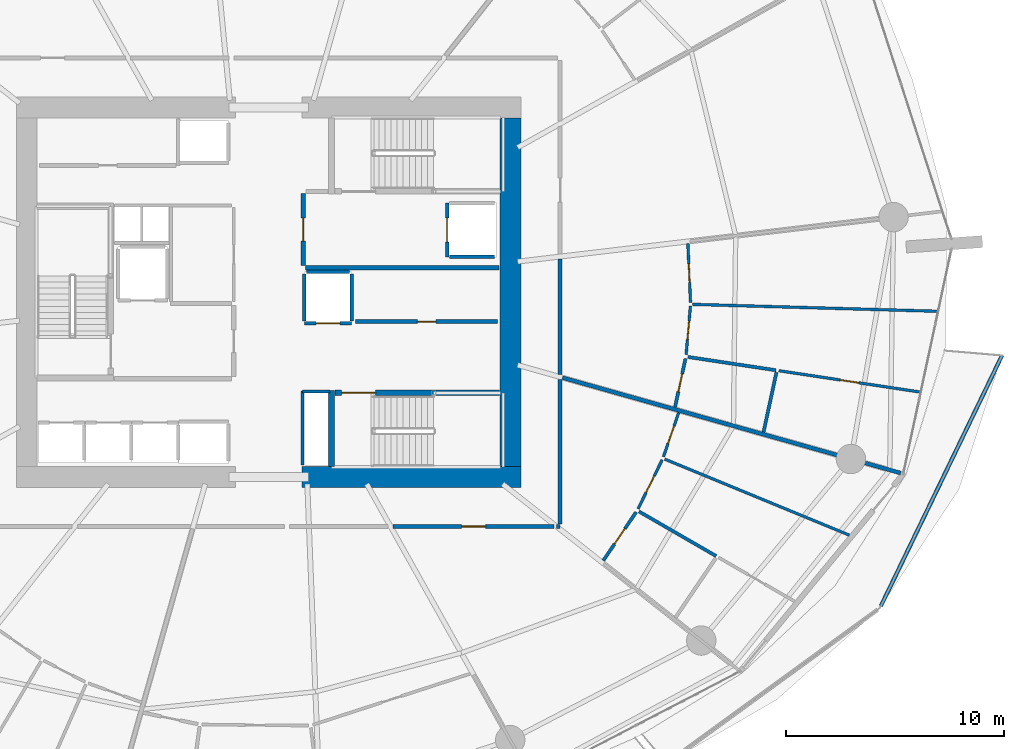
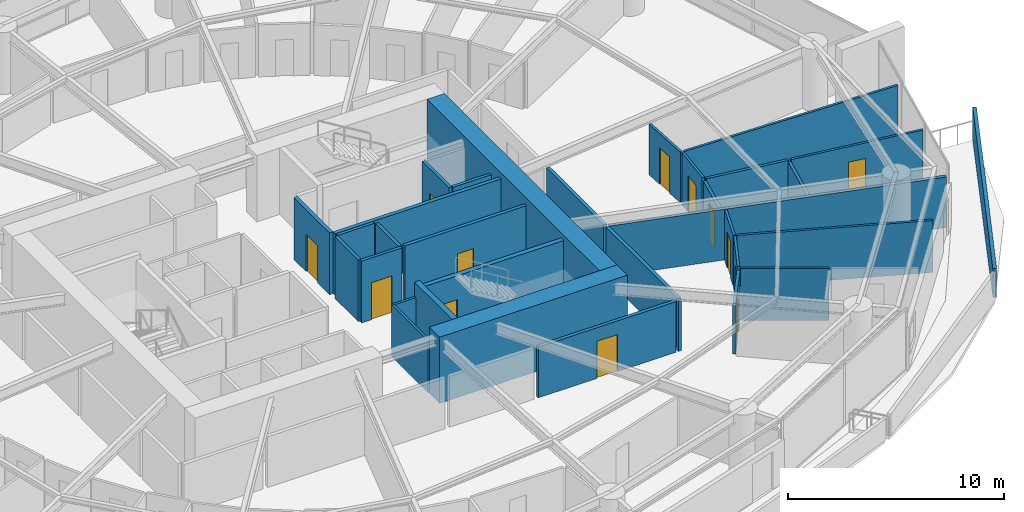
# One storey, part 20 of 30: 33 walls, 13 doors, 13 openings.
"""IFC4 building model written with IfcOpenShell, lengths in metres."""

from ifc_helpers import new_model, si_unit, direction, frame, frame_2d, origin, place, context, subcontext, project, spatial, polyline, rectangle, outline, extrude, material, layer, layer_set, type_object, element, fill, save


model = new_model("IFC4")

# Units and contexts
model_context = context("Model", 3, precision=1e-05, world=origin(), true_north=direction((0.0, 1.0)))
body_context = subcontext(model_context, "Body", "Model", "MODEL_VIEW")
ifc_project = project(units=[si_unit("LENGTHUNIT", "METRE"), si_unit("AREAUNIT", "SQUARE_METRE"), si_unit("VOLUMEUNIT", "CUBIC_METRE"), si_unit("PLANEANGLEUNIT", "RADIAN"), si_unit("MASSUNIT", "GRAM", prefix="KILO")], contexts=[model_context])

# Site, building, storey
site_placement = place(None, origin())
site = spatial("IfcSite", under=ifc_project, at=site_placement, CompositionType="ELEMENT")
building_placement = place(site_placement, origin())
building = spatial("IfcBuilding", under=site, at=building_placement, Name="Kazma Halo Residences", CompositionType="ELEMENT")
storey_placement = place(building_placement, frame((0.0, 0.0, 56.39990234375)))
storey = spatial("IfcBuildingStorey", under=building, at=storey_placement, Name="L13", CompositionType="ELEMENT", Elevation=56.39990234375)

# Walls
ifc_material_1 = material(Name="White Concrete C50/60 Balustrade", Category="concrete")
ifc_layer_1 = layer(ifc_material_1, 0.179931640625)
ifc_layer_set_1 = layer_set([ifc_layer_1], Name="White Concrete C50/60 Balustrade")
wall_type_1 = type_object("IfcWallType", Name="WL-BAL-WAVE-180", PredefinedType="PARAPET", material=ifc_layer_set_1)
wall_1_placement = place(storey_placement, frame((76.51904296875, 27.603515625, 0.0), z_axis=(0.0, 0.0, 1.0), x_axis=(0.435391138538, 0.900241387897, 0.0)))
element("IfcWall", 1, at=wall_1_placement, inside=storey, type_object=wall_type_1, Name="L13 white wave balustrade wall SE.2", PredefinedType="PARAPET", context=body_context, shape_type="SweptSolid", body=[
    extrude(outline(polyline([(0.0, 0.0), (12.779296875, 0.0), (12.779296875, 1.860107421875), (6.3896484375, 1.798095703125), (0.0, 1.632080078125), (0.0, 0.0)])), frame((0.0, 0.08984375, 0.0), z_axis=(0.0, -1.0, 0.0), x_axis=(1.0, 0.0, 0.0)), (0.0, 0.0, 1.0), 0.179931640625),
])
ifc_material_2 = material(Name="Concrete C80/95", Category="concrete")
ifc_layer_2 = layer(ifc_material_2, 0.949951171875)
ifc_layer_set_2 = layer_set([ifc_layer_2], Name="Concrete C80/95")
wall_type_2 = type_object("IfcWallType", Name="WL-CORE-950", PredefinedType="SHEAR", material=ifc_layer_set_2)
wall_2_placement = place(storey_placement, frame((49.949951171875, 33.52490234375, 0.0), z_axis=(0.0, 0.0, 1.0), x_axis=(1.0, 0.0, 0.0)))
element("IfcWall", 2, at=wall_2_placement, inside=storey, type_object=wall_type_2, Name="L13 central core shear wall SE", PredefinedType="SHEAR", context=body_context, shape_type="SweptSolid", body=[
    extrude(rectangle(XDim=10.050048828125, YDim=0.949951171875, at=frame_2d((5.02490234375, 0.0))), origin(), (0.0, 0.0, 1.0), 3.75),
])
wall_3_placement = place(storey_placement, frame((59.52490234375, 34.0, 0.0), z_axis=(0.0, 0.0, 1.0), x_axis=(0.0, 1.0, 0.0)))
element("IfcWall", 3, at=wall_3_placement, inside=storey, type_object=wall_type_2, Name="L13 central core shear wall E", PredefinedType="SHEAR", context=body_context, shape_type="SweptSolid", body=[
    extrude(rectangle(XDim=16.0, YDim=0.949951171875, at=frame_2d((8.0, 0.0))), origin(), (0.0, 0.0, 1.0), 3.75),
])
ifc_material_3 = material(Name="Concrete C60/75", Category="concrete")
ifc_layer_3 = layer(ifc_material_3, 0.280029296875)
ifc_layer_set_3 = layer_set([ifc_layer_3], Name="Concrete C60/75")
wall_type_3 = type_object("IfcWallType", Name="WL-CORE-ST-280", PredefinedType="SHEAR", material=ifc_layer_set_3)
wall_4_placement = place(storey_placement, frame((51.31005859375, 34.0, 0.0), z_axis=(0.0, 0.0, 1.0), x_axis=(0.0, 1.0, 0.0)))
element("IfcWall", 4, at=wall_4_placement, inside=storey, type_object=wall_type_3, Name="L13 stairwell bearing wall ST03-W", PredefinedType="SHEAR", context=body_context, shape_type="SweptSolid", body=[
    extrude(rectangle(XDim=3.5, YDim=0.280029296875, at=frame_2d((1.75, 0.0))), origin(), (0.0, 0.0, 1.0), 3.75),
])
ifc_material_4 = material(Name="Acoustic Twin-Stud Gypsum")
ifc_layer_4 = layer(ifc_material_4, 0.179931640625)
ifc_layer_set_4 = layer_set([ifc_layer_4], Name="Acoustic Twin-Stud Gypsum")
wall_type_4 = type_object("IfcWallType", Name="WL-DEM-180", PredefinedType="PARTITIONING", material=ifc_layer_set_4)
wall_5_placement = place(storey_placement, frame((61.906005859375, 38.078125, 0.0), z_axis=(0.0, 0.0, 1.0), x_axis=(0.962455862511, -0.271438230022, 0.0)))
element("IfcWall", 5, at=wall_5_placement, inside=storey, type_object=wall_type_4, Name="L13 apartment demising radial wall 14", PredefinedType="PARTITIONING", context=body_context, shape_type="SweptSolid", body=[
    extrude(rectangle(XDim=16.1259765625, YDim=0.179931640625, at=frame_2d((8.06298828125, 0.0))), origin(), (0.0, 0.0, 1.0), 2.8671875),
])

# Wall, opening, door
wall_6_placement = place(storey_placement, frame((54.140380859375, 31.25, 0.0), z_axis=(0.0, 0.0, 1.0), x_axis=(1.0, 0.0, 0.0)))
wall_6 = element("IfcWall", 6, at=wall_6_placement, inside=storey, type_object=wall_type_4, Name="L13 Apartment 3 entrance corridor wall", PredefinedType="PARTITIONING", context=body_context, shape_type="SweptSolid", body=[
    extrude(rectangle(XDim=7.3759765625, YDim=0.179931640625, at=frame_2d((3.68798828125, 0.0))), origin(), (0.0, 0.0, 1.0), 2.8671875),
])
opening_1_placement = place(wall_6_placement, frame((3.137939453125, 0.0, 0.0)))
opening_1 = element("IfcOpeningElement", 7, at=opening_1_placement, cuts=wall_6, Name="Opening DA-1100", PredefinedType="OPENING", context=body_context, shape_type="SweptSolid", body=[
    extrude(rectangle(XDim=1.10009765625, YDim=2.10009765625, at=frame_2d((0.550048828125, 1.050048828125))), frame((0.0, 0.099853515625, 0.0), z_axis=(0.0, -1.0, 0.0), x_axis=(1.0, 0.0, 0.0)), (0.0, 0.0, 1.0), 0.199951171875),
])
ifc_material_5 = material(Name="Acoustic Walnut Fire Leaf")
door_type_1 = type_object("IfcDoorType", Name="DR-FD60-1100", OperationType="NOTDEFINED", PredefinedType="DOOR", material=ifc_material_5)
door_1_placement = place(opening_1_placement, origin())
door_1 = element("IfcDoor", 8, at=door_1_placement, inside=storey, type_object=door_type_1, Name="L13 Apartment 3 entrance fire door", OperationType="SINGLE_SWING_LEFT", OverallHeight=2.10009765625, OverallWidth=1.10009765625, PredefinedType="DOOR", context=body_context, shape_type="SweptSolid", body=[
    extrude(rectangle(XDim=1.10009765625, YDim=2.10009765625, at=frame_2d((0.550048828125, 1.050048828125))), frame((0.0, 0.02490234375, 0.0), z_axis=(0.0, -1.0, 0.0), x_axis=(1.0, 0.0, 0.0)), (0.0, 0.0, 1.0), 0.050048828125),
])
fill(opening_1, door_1)

# Walls
wall_7_placement = place(storey_placement, frame((61.63623046875, 31.25, 0.0), z_axis=(0.0, 0.0, 1.0), x_axis=(1.0, 0.0, 0.0)))
element("IfcWall", 9, at=wall_7_placement, inside=storey, type_object=wall_type_4, Name="L13 Apartment 3 inner wall 13", PredefinedType="PARTITIONING", context=body_context, shape_type="SweptSolid", body=[
    extrude(rectangle(XDim=0.163818359375, YDim=0.179931640625, at=frame_2d((0.08203125, 0.0))), origin(), (0.0, 0.0, 1.0), 2.8671875),
])
wall_8_placement = place(storey_placement, frame((61.800048828125, 31.3701171875, 0.0), z_axis=(0.0, 0.0, 1.0), x_axis=(0.0, 1.0, 0.0)))
element("IfcWall", 10, at=wall_8_placement, inside=storey, type_object=wall_type_4, Name="L13 Apartment 3 inner wall 13", PredefinedType="PARTITIONING", context=body_context, shape_type="SweptSolid", body=[
    extrude(rectangle(XDim=6.617919921875, YDim=0.179931640625, at=frame_2d((3.30908203125, 0.0))), origin(), (0.0, 0.0, 1.0), 2.8671875),
])
wall_9_placement = place(storey_placement, frame((61.800048828125, 38.22802734375, 0.0), z_axis=(0.0, 0.0, 1.0), x_axis=(0.0, 1.0, 0.0)))
element("IfcWall", 11, at=wall_9_placement, inside=storey, type_object=wall_type_4, Name="L13 Apartment 4 inner wall 14", PredefinedType="PARTITIONING", context=body_context, shape_type="SweptSolid", body=[
    extrude(rectangle(XDim=5.28515625, YDim=0.179931640625, at=frame_2d((2.642578125, 0.0))), origin(), (0.0, 0.0, 1.0), 2.8671875),
])

# Wall, opening, door
ifc_material_6 = material(Name="Fire-Rated Blockwork Masonry", Category="masonry")
ifc_layer_5 = layer(ifc_material_6, 0.199951171875)
ifc_layer_set_5 = layer_set([ifc_layer_5], Name="Fire-Rated Blockwork Masonry")
wall_type_5 = type_object("IfcWallType", Name="WL-FLB-200", PredefinedType="PARTITIONING", material=ifc_layer_set_5)
wall_10_placement = place(storey_placement, frame((56.6201171875, 46.080078125, 0.0), z_axis=(0.0, 0.0, 1.0), x_axis=(0.0, -1.0, 0.0)))
wall_10 = element("IfcWall", 12, at=wall_10_placement, inside=storey, type_object=wall_type_5, Name="L13 lift shaft FL-02 front wall", PredefinedType="PARTITIONING", context=body_context, shape_type="SweptSolid", body=[
    extrude(rectangle(XDim=2.4599609375, YDim=0.159912109375, at=frame_2d((1.22998046875, 0.0))), origin(), (0.0, 0.0, 1.0), 3.5),
])
opening_2_placement = place(wall_10_placement, frame((0.679931640625, 0.0, 0.0)))
opening_2 = element("IfcOpeningElement", 13, at=opening_2_placement, cuts=wall_10, Name="Opening LD-FL-02", PredefinedType="OPENING", context=body_context, shape_type="SweptSolid", body=[
    extrude(rectangle(XDim=1.10009765625, YDim=2.10009765625, at=frame_2d((0.550048828125, 1.050048828125))), frame((0.0, 0.08984375, 0.0), z_axis=(0.0, -1.0, 0.0), x_axis=(1.0, 0.0, 0.0)), (0.0, 0.0, 1.0), 0.179931640625),
])
ifc_material_7 = material(Name="Stainless Steel Fire-Rated", Category="steel")
door_type_2 = type_object("IfcDoorType", Name="DR-LIFT-SLD-1100", OperationType="DOUBLE_DOOR_SLIDING", PredefinedType="DOOR", material=ifc_material_7)
door_2_placement = place(opening_2_placement, origin())
door_2 = element("IfcDoor", 14, at=door_2_placement, inside=storey, type_object=door_type_2, Name="L13 lift FL-02 sliding landing door", OperationType="DOUBLE_DOOR_SLIDING", OverallHeight=2.10009765625, OverallWidth=1.10009765625, PredefinedType="DOOR", context=body_context, shape_type="SweptSolid", body=[
    extrude(rectangle(XDim=1.10009765625, YDim=2.10009765625, at=frame_2d((0.550048828125, 1.050048828125))), frame((0.0, 0.02490234375, 0.0), z_axis=(0.0, -1.0, 0.0), x_axis=(1.0, 0.0, 0.0)), (0.0, 0.0, 1.0), 0.050048828125),
])
fill(opening_2, door_2)

# Wall
wall_11_placement = place(storey_placement, frame((56.719970703125, 43.6201171875, 0.0), z_axis=(0.0, 0.0, 1.0), x_axis=(1.0, 0.0, 0.0)))
element("IfcWall", 15, at=wall_11_placement, inside=storey, type_object=wall_type_5, Name="L13 lift shaft FL-02 side wall S", PredefinedType="PARTITIONING", context=body_context, shape_type="SweptSolid", body=[
    extrude(rectangle(XDim=2.06005859375, YDim=0.159912109375, at=frame_2d((1.030029296875, 0.0))), origin(), (0.0, 0.0, 1.0), 3.5),
])

# Wall, opening, door
wall_12_placement = place(storey_placement, frame((52.22998046875, 40.570068359375, 0.0), z_axis=(0.0, 0.0, 1.0), x_axis=(-1.0, 0.0, 0.0)))
wall_12 = element("IfcWall", 16, at=wall_12_placement, inside=storey, type_object=wall_type_5, Name="L13 lift shaft SV-01 front wall", PredefinedType="PARTITIONING", context=body_context, shape_type="SweptSolid", body=[
    extrude(rectangle(XDim=2.159912109375, YDim=0.159912109375, at=frame_2d((1.080078125, 0.0))), origin(), (0.0, 0.0, 1.0), 3.5),
])
opening_3_placement = place(wall_12_placement, frame((0.530029296875, 0.0, 0.0)))
opening_3 = element("IfcOpeningElement", 17, at=opening_3_placement, cuts=wall_12, Name="Opening LD-SV-01", PredefinedType="OPENING", context=body_context, shape_type="SweptSolid", body=[
    extrude(rectangle(XDim=1.10009765625, YDim=2.10009765625, at=frame_2d((0.550048828125, 1.050048828125))), frame((0.0, 0.08984375, 0.0), z_axis=(0.0, -1.0, 0.0), x_axis=(1.0, 0.0, 0.0)), (0.0, 0.0, 1.0), 0.179931640625),
])
door_3_placement = place(opening_3_placement, origin())
door_3 = element("IfcDoor", 18, at=door_3_placement, inside=storey, type_object=door_type_2, Name="L13 lift SV-01 sliding landing door", OperationType="DOUBLE_DOOR_SLIDING", OverallHeight=2.10009765625, OverallWidth=1.10009765625, PredefinedType="DOOR", context=body_context, shape_type="SweptSolid", body=[
    extrude(rectangle(XDim=1.10009765625, YDim=2.10009765625, at=frame_2d((0.550048828125, 1.050048828125))), frame((0.0, 0.02490234375, 0.0), z_axis=(0.0, -1.0, 0.0), x_axis=(1.0, 0.0, 0.0)), (0.0, 0.0, 1.0), 0.050048828125),
])
fill(opening_3, door_3)

# Walls
for number, where, z_axis, x_axis, name in (
    (19, (52.22998046875, 40.669921875, 0.0), (0.0, 0.0, 1.0), (0.0, 1.0, 0.0), "L13 lift shaft SV-01 side wall E"),
    (20, (50.070068359375, 40.669921875, 0.0), (0.0, 0.0, 1.0), (0.0, 1.0, 0.0), "L13 lift shaft SV-01 side wall W"),
):
    element("IfcWall", number, at=place(storey_placement, frame(where, z_axis=z_axis, x_axis=x_axis)), inside=storey, type_object=wall_type_5, Name=name, PredefinedType="PARTITIONING", context=body_context, shape_type="SweptSolid", body=[
        extrude(rectangle(XDim=2.16015625, YDim=0.159912109375, at=frame_2d((1.080078125, 0.0))), origin(), (0.0, 0.0, 1.0), 3.5),
    ])
wall_13_placement = place(storey_placement, frame((50.169921875, 42.929931640625, 0.0), z_axis=(0.0, 0.0, 1.0), x_axis=(1.0, 0.0, 0.0)))
element("IfcWall", 21, at=wall_13_placement, inside=storey, type_object=wall_type_5, Name="L13 lift shaft SV-01 side wall N", PredefinedType="PARTITIONING", context=body_context, shape_type="SweptSolid", body=[
    extrude(rectangle(XDim=1.9599609375, YDim=0.159912109375, at=frame_2d((0.97998046875, 0.0))), origin(), (0.0, 0.0, 1.0), 3.5),
])

# Wall, opening, door
wall_14_placement = place(storey_placement, frame((52.419921875, 40.64990234375, 0.0), z_axis=(0.0, 0.0, 1.0), x_axis=(1.0, 0.0, 0.0)))
wall_14 = element("IfcWall", 22, at=wall_14_placement, inside=storey, type_object=wall_type_5, Name="L13 core east reserve wall", PredefinedType="PARTITIONING", context=body_context, shape_type="SweptSolid", body=[
    extrude(rectangle(XDim=6.5, YDim=0.179931640625, at=frame_2d((3.25, 0.0))), origin(), (0.0, 0.0, 1.0), 3.5),
])
opening_4_placement = place(wall_14_placement, frame((2.824951171875, 0.0, 0.0)))
opening_4 = element("IfcOpeningElement", 23, at=opening_4_placement, cuts=wall_14, Name="Opening DS-850", PredefinedType="OPENING", context=body_context, shape_type="SweptSolid", body=[
    extrude(rectangle(XDim=0.85009765625, YDim=2.06005859375, at=frame_2d((0.425048828125, 1.030029296875))), frame((0.0, 0.099853515625, 0.0), z_axis=(0.0, -1.0, 0.0), x_axis=(1.0, 0.0, 0.0)), (0.0, 0.0, 1.0), 0.199951171875),
])
ifc_material_8 = material(Name="Painted Steel Access Leaf", Category="steel")
door_type_3 = type_object("IfcDoorType", Name="DR-SVC-850", OperationType="NOTDEFINED", PredefinedType="DOOR", material=ifc_material_8)
door_4_placement = place(opening_4_placement, origin())
door_4 = element("IfcDoor", 24, at=door_4_placement, inside=storey, type_object=door_type_3, Name="L13 core east reserve door", OperationType="SINGLE_SWING_RIGHT", OverallHeight=2.06005859375, OverallWidth=0.85009765625, PredefinedType="DOOR", context=body_context, shape_type="SweptSolid", body=[
    extrude(rectangle(XDim=0.85009765625, YDim=2.06005859375, at=frame_2d((0.425048828125, 1.030029296875))), frame((0.0, 0.02490234375, 0.0), z_axis=(0.0, -1.0, 0.0), x_axis=(1.0, 0.0, 0.0)), (0.0, 0.0, 1.0), 0.050048828125),
])
fill(opening_4, door_4)

# Wall
wall_15_placement = place(storey_placement, frame((50.1201171875, 43.1201171875, 0.0), z_axis=(0.0, 0.0, 1.0), x_axis=(1.0, 0.0, 0.0)))
element("IfcWall", 25, at=wall_15_placement, inside=storey, type_object=wall_type_5, Name="L13 east firefighting lobby south smoke wall", PredefinedType="PARTITIONING", context=body_context, shape_type="SweptSolid", body=[
    extrude(rectangle(XDim=8.8798828125, YDim=0.199951171875, at=frame_2d((4.43994140625, 0.0))), origin(), (0.0, 0.0, 1.0), 3.5),
])

# Wall, opening, door
wall_16_placement = place(storey_placement, frame((50.02001953125, 43.219970703125, 0.0), z_axis=(0.0, 0.0, 1.0), x_axis=(0.0, 1.0, 0.0)))
wall_16 = element("IfcWall", 26, at=wall_16_placement, inside=storey, type_object=wall_type_5, Name="L13 east firefighting lobby smoke wall", PredefinedType="PARTITIONING", context=body_context, shape_type="SweptSolid", body=[
    extrude(rectangle(XDim=3.300048828125, YDim=0.199951171875, at=frame_2d((1.64990234375, 0.0))), origin(), (0.0, 0.0, 1.0), 3.5),
])
opening_5_placement = place(wall_16_placement, frame((1.125, 0.0, 0.0)))
opening_5 = element("IfcOpeningElement", 27, at=opening_5_placement, cuts=wall_16, Name="Opening D-FLE", PredefinedType="OPENING", context=body_context, shape_type="SweptSolid", body=[
    extrude(rectangle(XDim=1.050048828125, YDim=2.10009765625, at=frame_2d((0.52490234375, 1.050048828125))), frame((0.0, 0.10986328125, 0.0), z_axis=(0.0, -1.0, 0.0), x_axis=(1.0, 0.0, 0.0)), (0.0, 0.0, 1.0), 0.219970703125),
])
ifc_material_9 = material(Name="Fire-Rated Steel Leaf", Category="steel")
door_type_4 = type_object("IfcDoorType", Name="DR-FD90-1050", OperationType="NOTDEFINED", PredefinedType="DOOR", material=ifc_material_9)
door_5_placement = place(opening_5_placement, origin())
door_5 = element("IfcDoor", 28, at=door_5_placement, inside=storey, type_object=door_type_4, Name="L13 east firefighting lobby smoke door", OperationType="SINGLE_SWING_LEFT", OverallHeight=2.10009765625, OverallWidth=1.050048828125, PredefinedType="DOOR", context=body_context, shape_type="SweptSolid", body=[
    extrude(rectangle(XDim=1.050048828125, YDim=2.10009765625, at=frame_2d((0.52490234375, 1.050048828125))), frame((0.0, 0.02490234375, 0.0), z_axis=(0.0, -1.0, 0.0), x_axis=(1.0, 0.0, 0.0)), (0.0, 0.0, 1.0), 0.050048828125),
])
fill(opening_5, door_5)

# Walls
ifc_material_10 = material(Name="Gypsum Plasterboard Partition")
ifc_layer_6 = layer(ifc_material_10, 0.125)
ifc_layer_set_6 = layer_set([ifc_layer_6], Name="Gypsum Plasterboard Partition")
wall_type_6 = type_object("IfcWallType", Name="WL-PART-125", PredefinedType="PARTITIONING", material=ifc_layer_set_6)
wall_17_placement = place(storey_placement, frame((49.97998046875, 34.06005859375, 0.0), z_axis=(0.0, 0.0, 1.0), x_axis=(0.0, 1.0, 0.0)))
element("IfcWall", 29, at=wall_17_placement, inside=storey, type_object=wall_type_6, Name="L13 standpipe riser wall", PredefinedType="PARTITIONING", context=body_context, shape_type="SweptSolid", body=[
    extrude(rectangle(XDim=3.39990234375, YDim=0.125, at=frame_2d((1.699951171875, 0.0))), origin(), (0.0, 0.0, 1.0), 2.940185546875),
])
wall_18_placement = place(storey_placement, frame((49.97998046875, 37.43994140625, 0.0), z_axis=(0.0, 0.0, 1.0), x_axis=(1.0, 0.0, 0.0)))
element("IfcWall", 30, at=wall_18_placement, inside=storey, type_object=wall_type_6, Name="L13 standpipe riser north wall", PredefinedType="PARTITIONING", context=body_context, shape_type="SweptSolid", body=[
    extrude(rectangle(XDim=1.260009765625, YDim=0.125, at=frame_2d((0.6298828125, 0.0))), origin(), (0.0, 0.0, 1.0), 2.940185546875),
])
wall_19_placement = place(storey_placement, frame((66.59765625, 34.3408203125, 0.0), z_axis=(0.0, 0.0, 1.0), x_axis=(0.9246609872, -0.380791358556, 0.0)))
element("IfcWall", 31, at=wall_19_placement, inside=storey, type_object=wall_type_6, Name="L13 Apartment 3 suite divider 13", PredefinedType="PARTITIONING", context=body_context, shape_type="SweptSolid", body=[
    extrude(rectangle(XDim=9.16064453125, YDim=0.125, at=frame_2d((4.580322265625, 0.0))), origin(), (0.0, 0.0, 1.0), 2.940185546875),
])

# Wall, opening, door
wall_20_placement = place(storey_placement, frame((65.37744140625, 32.064697265625, 0.0), z_axis=(0.0, 0.0, 1.0), x_axis=(0.441490145673, 0.897266098364, 0.0)))
wall_20 = element("IfcWall", 32, at=wall_20_placement, inside=storey, type_object=wall_type_6, Name="L13 Apartment 3 South Private Study hall wall", PredefinedType="PARTITIONING", context=body_context, shape_type="SweptSolid", body=[
    extrude(rectangle(XDim=2.4951171875, YDim=0.125, at=frame_2d((1.24755859375, 0.0))), origin(), (0.0, 0.0, 1.0), 2.940185546875),
])
opening_6_placement = place(wall_20_placement, frame((0.822509765625, 0.0, 0.0)))
opening_6 = element("IfcOpeningElement", 33, at=opening_6_placement, cuts=wall_20, Name="Opening DB-900", PredefinedType="OPENING", context=body_context, shape_type="SweptSolid", body=[
    extrude(rectangle(XDim=0.85009765625, YDim=2.06005859375, at=frame_2d((0.425048828125, 1.030029296875))), frame((0.0, 0.072509765625, 0.0), z_axis=(0.0, -1.0, 0.0), x_axis=(1.0, 0.0, 0.0)), (0.0, 0.0, 1.0), 0.14501953125),
])
ifc_material_11 = material(Name="Moisture-Sealed Timber Leaf", Category="wood")
door_type_5 = type_object("IfcDoorType", Name="DR-BTH-900", OperationType="NOTDEFINED", PredefinedType="DOOR", material=ifc_material_11)
door_6_placement = place(opening_6_placement, origin())
door_6 = element("IfcDoor", 34, at=door_6_placement, inside=storey, type_object=door_type_5, Name="L13 Apartment 3 South Private Study door", OperationType="SINGLE_SWING_LEFT", OverallHeight=2.06005859375, OverallWidth=0.85009765625, PredefinedType="DOOR", context=body_context, shape_type="SweptSolid", body=[
    extrude(rectangle(XDim=0.85009765625, YDim=2.06005859375, at=frame_2d((0.425048828125, 1.030029296875))), frame((0.0, 0.02490234375, 0.0), z_axis=(0.0, -1.0, 0.0), x_axis=(1.0, 0.0, 0.0)), (0.0, 0.0, 1.0), 0.050048828125),
])
fill(opening_6, door_6)

wall_21_placement = place(storey_placement, frame((66.54052734375, 34.45068359375, 0.0), z_axis=(0.0, 0.0, 1.0), x_axis=(0.326627883033, 0.945153017255, 0.0)))
wall_21 = element("IfcWall", 35, at=wall_21_placement, inside=storey, type_object=wall_type_6, Name="L13 Apartment 3 Inner Master Bedroom hall wall", PredefinedType="PARTITIONING", context=body_context, shape_type="SweptSolid", body=[
    extrude(rectangle(XDim=2.136962890625, YDim=0.125, at=frame_2d((1.068359375, 0.0))), origin(), (0.0, 0.0, 1.0), 2.8671875),
])
opening_7_placement = place(wall_21_placement, frame((0.643310546875, 0.0, 0.0)))
opening_7 = element("IfcOpeningElement", 36, at=opening_7_placement, cuts=wall_21, Name="Opening DB-900", PredefinedType="OPENING", context=body_context, shape_type="SweptSolid", body=[
    extrude(rectangle(XDim=0.85009765625, YDim=2.06005859375, at=frame_2d((0.425048828125, 1.030029296875))), frame((0.0, 0.072509765625, 0.0), z_axis=(0.0, -1.0, 0.0), x_axis=(1.0, 0.0, 0.0)), (0.0, 0.0, 1.0), 0.14501953125),
])
door_7_placement = place(opening_7_placement, origin())
door_7 = element("IfcDoor", 37, at=door_7_placement, inside=storey, type_object=door_type_5, Name="L13 Apartment 3 Inner Master Bedroom door", OperationType="SINGLE_SWING_RIGHT", OverallHeight=2.06005859375, OverallWidth=0.85009765625, PredefinedType="DOOR", context=body_context, shape_type="SweptSolid", body=[
    extrude(rectangle(XDim=0.85009765625, YDim=2.06005859375, at=frame_2d((0.425048828125, 1.030029296875))), frame((0.0, 0.02490234375, 0.0), z_axis=(0.0, -1.0, 0.0), x_axis=(1.0, 0.0, 0.0)), (0.0, 0.0, 1.0), 0.050048828125),
])
fill(opening_7, door_7)

wall_22_placement = place(storey_placement, frame((71.832275390625, 38.397705078125, 0.0), z_axis=(0.0, 0.0, 1.0), x_axis=(0.988773501149, -0.149422098181, 0.0)))
wall_22 = element("IfcWall", 38, at=wall_22_placement, inside=storey, type_object=wall_type_6, Name="L13 Apartment 4 Household Store Room partition wall", PredefinedType="PARTITIONING", context=body_context, shape_type="SweptSolid", body=[
    extrude(rectangle(XDim=6.566650390625, YDim=0.125, at=frame_2d((3.283203125, 0.0))), origin(), (0.0, 0.0, 1.0), 2.940185546875),
])
opening_8_placement = place(wall_22_placement, frame((2.8583984375, 0.0, 0.0)))
opening_8 = element("IfcOpeningElement", 39, at=opening_8_placement, cuts=wall_22, Name="Opening DB-900", PredefinedType="OPENING", context=body_context, shape_type="SweptSolid", body=[
    extrude(rectangle(XDim=0.85009765625, YDim=2.06005859375, at=frame_2d((0.425048828125, 1.030029296875))), frame((0.0, 0.072509765625, 0.0), z_axis=(0.0, -1.0, 0.0), x_axis=(1.0, 0.0, 0.0)), (0.0, 0.0, 1.0), 0.14501953125),
])
door_8_placement = place(opening_8_placement, origin())
door_8 = element("IfcDoor", 40, at=door_8_placement, inside=storey, type_object=door_type_5, Name="L13 Apartment 4 Household Store Room door", OperationType="SINGLE_SWING_LEFT", OverallHeight=2.06005859375, OverallWidth=0.85009765625, PredefinedType="DOOR", context=body_context, shape_type="SweptSolid", body=[
    extrude(rectangle(XDim=0.85009765625, YDim=2.06005859375, at=frame_2d((0.425048828125, 1.030029296875))), frame((0.0, 0.02490234375, 0.0), z_axis=(0.0, -1.0, 0.0), x_axis=(1.0, 0.0, 0.0)), (0.0, 0.0, 1.0), 0.050048828125),
])
fill(opening_8, door_8)

# Wall
wall_23_placement = place(storey_placement, frame((67.875244140625, 41.440185546875, 0.0), z_axis=(0.0, 0.0, 1.0), x_axis=(0.999604383534, -0.028126080787, 0.0)))
element("IfcWall", 41, at=wall_23_placement, inside=storey, type_object=wall_type_6, Name="L13 Apartment 4 suite divider 14", PredefinedType="PARTITIONING", context=body_context, shape_type="SweptSolid", body=[
    extrude(rectangle(XDim=11.24951171875, YDim=0.125, at=frame_2d((5.624755859375, 0.0))), origin(), (0.0, 0.0, 1.0), 2.940185546875),
])

# Wall, opening, door
wall_24_placement = place(storey_placement, frame((67.57861328125, 39.131591796875, 0.0), z_axis=(0.0, 0.0, 1.0), x_axis=(0.089032328007, 0.996028736819, 0.0)))
wall_24 = element("IfcWall", 42, at=wall_24_placement, inside=storey, type_object=wall_type_6, Name="L13 Apartment 4 Gourmet Kitchen hall wall", PredefinedType="PARTITIONING", context=body_context, shape_type="SweptSolid", body=[
    extrude(rectangle(XDim=2.240234375, YDim=0.125, at=frame_2d((1.1201171875, 0.0))), origin(), (0.0, 0.0, 1.0), 2.940185546875),
])
opening_9_placement = place(wall_24_placement, frame((0.6953125, 0.0, 0.0)))
opening_9 = element("IfcOpeningElement", 43, at=opening_9_placement, cuts=wall_24, Name="Opening DB-900", PredefinedType="OPENING", context=body_context, shape_type="SweptSolid", body=[
    extrude(rectangle(XDim=0.85009765625, YDim=2.06005859375, at=frame_2d((0.425048828125, 1.030029296875))), frame((0.0, 0.072509765625, 0.0), z_axis=(0.0, -1.0, 0.0), x_axis=(1.0, 0.0, 0.0)), (0.0, 0.0, 1.0), 0.14501953125),
])
door_9_placement = place(opening_9_placement, origin())
door_9 = element("IfcDoor", 44, at=door_9_placement, inside=storey, type_object=door_type_5, Name="L13 Apartment 4 Gourmet Kitchen door", OperationType="SINGLE_SWING_RIGHT", OverallHeight=2.06005859375, OverallWidth=0.85009765625, PredefinedType="DOOR", context=body_context, shape_type="SweptSolid", body=[
    extrude(rectangle(XDim=0.85009765625, YDim=2.06005859375, at=frame_2d((0.425048828125, 1.030029296875))), frame((0.0, 0.02490234375, 0.0), z_axis=(0.0, -1.0, 0.0), x_axis=(1.0, 0.0, 0.0)), (0.0, 0.0, 1.0), 0.050048828125),
])
fill(opening_9, door_9)

wall_25_placement = place(storey_placement, frame((67.781494140625, 41.522705078125, 0.0), z_axis=(0.0, 0.0, 1.0), x_axis=(-0.044740706283, 0.998998633233, 0.0)))
wall_25 = element("IfcWall", 45, at=wall_25_placement, inside=storey, type_object=wall_type_6, Name="L13 Apartment 4 Master Bedroom hall wall", PredefinedType="PARTITIONING", context=body_context, shape_type="SweptSolid", body=[
    extrude(rectangle(XDim=2.70654296875, YDim=0.125, at=frame_2d((1.353271484375, 0.0))), origin(), (0.0, 0.0, 1.0), 2.8671875),
])
opening_10_placement = place(wall_25_placement, frame((0.92822265625, 0.0, 0.0)))
opening_10 = element("IfcOpeningElement", 46, at=opening_10_placement, cuts=wall_25, Name="Opening DB-900", PredefinedType="OPENING", context=body_context, shape_type="SweptSolid", body=[
    extrude(rectangle(XDim=0.85009765625, YDim=2.06005859375, at=frame_2d((0.425048828125, 1.030029296875))), frame((0.0, 0.072509765625, 0.0), z_axis=(0.0, -1.0, 0.0), x_axis=(1.0, 0.0, 0.0)), (0.0, 0.0, 1.0), 0.14501953125),
])
door_10_placement = place(opening_10_placement, origin())
door_10 = element("IfcDoor", 47, at=door_10_placement, inside=storey, type_object=door_type_5, Name="L13 Apartment 4 Master Bedroom door", OperationType="SINGLE_SWING_LEFT", OverallHeight=2.06005859375, OverallWidth=0.85009765625, PredefinedType="DOOR", context=body_context, shape_type="SweptSolid", body=[
    extrude(rectangle(XDim=0.85009765625, YDim=2.06005859375, at=frame_2d((0.425048828125, 1.030029296875))), frame((0.0, 0.02490234375, 0.0), z_axis=(0.0, -1.0, 0.0), x_axis=(1.0, 0.0, 0.0)), (0.0, 0.0, 1.0), 0.050048828125),
])
fill(opening_10, door_10)

ifc_material_12 = material(Name="Concrete C50/60", Category="concrete")
ifc_layer_7 = layer(ifc_material_12, 0.25)
ifc_layer_set_7 = layer_set([ifc_layer_7], Name="Concrete C50/60")
wall_type_7 = type_object("IfcWallType", Name="WL-SHF-250", PredefinedType="SOLIDWALL", material=ifc_layer_set_7)
wall_26_placement = place(storey_placement, frame((51.47998046875, 37.3798828125, 0.0), z_axis=(0.0, 0.0, 1.0), x_axis=(1.0, 0.0, 0.0)))
wall_26 = element("IfcWall", 48, at=wall_26_placement, inside=storey, type_object=wall_type_7, Name="L13 exit stair ST-03 enclosure wall", PredefinedType="SOLIDWALL", context=body_context, shape_type="SweptSolid", body=[
    extrude(rectangle(XDim=7.5400390625, YDim=0.25, at=frame_2d((3.77001953125, 0.0))), origin(), (0.0, 0.0, 1.0), 3.5),
])
opening_11_placement = place(wall_26_placement, frame((0.300048828125, 0.0, 0.0)))
opening_11 = element("IfcOpeningElement", 49, at=opening_11_placement, cuts=wall_26, Name="Opening D-ST3", PredefinedType="OPENING", context=body_context, shape_type="SweptSolid", body=[
    extrude(rectangle(XDim=1.550048828125, YDim=2.14990234375, at=frame_2d((0.77490234375, 1.074951171875))), frame((0.0, 0.135009765625, 0.0), z_axis=(0.0, -1.0, 0.0), x_axis=(1.0, 0.0, 0.0)), (0.0, 0.0, 1.0), 0.27001953125),
])
ifc_material_13 = material(Name="Fire-Rated Double Steel Leaf", Category="steel")
door_type_6 = type_object("IfcDoorType", Name="DR-FD90-1550", OperationType="NOTDEFINED", PredefinedType="DOOR", material=ifc_material_13)
door_11_placement = place(opening_11_placement, origin())
door_11 = element("IfcDoor", 50, at=door_11_placement, inside=storey, type_object=door_type_6, Name="L13 exit stair ST-03 fire door", OperationType="DOUBLE_DOOR_SINGLE_SWING", OverallHeight=2.14990234375, OverallWidth=1.550048828125, PredefinedType="DOOR", context=body_context, shape_type="SweptSolid", body=[
    extrude(rectangle(XDim=1.550048828125, YDim=2.14990234375, at=frame_2d((0.77490234375, 1.074951171875))), frame((0.0, 0.02490234375, 0.0), z_axis=(0.0, -1.0, 0.0), x_axis=(1.0, 0.0, 0.0)), (0.0, 0.0, 1.0), 0.050048828125),
])
fill(opening_11, door_11)

ifc_material_14 = material(Name="Moisture-Resistant Gypsum")
ifc_layer_8 = layer(ifc_material_14, 0.14990234375)
ifc_layer_set_8 = layer_set([ifc_layer_8], Name="Moisture-Resistant Gypsum")
wall_type_8 = type_object("IfcWallType", Name="WL-WET-150", PredefinedType="PARTITIONING", material=ifc_layer_set_8)
wall_27_placement = place(storey_placement, frame((63.780517578125, 29.686767578125, 0.0), z_axis=(0.0, 0.0, 1.0), x_axis=(0.561145635053, 0.82771708709, 0.0)))
wall_27 = element("IfcWall", 51, at=wall_27_placement, inside=storey, type_object=wall_type_8, Name="L13 Apartment 3 West En-Suite Bathroom hall wall", PredefinedType="PARTITIONING", context=body_context, shape_type="SweptSolid", body=[
    extrude(rectangle(XDim=2.685302734375, YDim=0.14990234375, at=frame_2d((1.3427734375, 0.0))), origin(), (0.0, 0.0, 1.0), 2.8671875),
])
opening_12_placement = place(wall_27_placement, frame((0.917724609375, 0.0, 0.0)))
opening_12 = element("IfcOpeningElement", 52, at=opening_12_placement, cuts=wall_27, Name="Opening DB-900", PredefinedType="OPENING", context=body_context, shape_type="SweptSolid", body=[
    extrude(rectangle(XDim=0.85009765625, YDim=2.06005859375, at=frame_2d((0.425048828125, 1.030029296875))), frame((0.0, 0.0849609375, 0.0), z_axis=(0.0, -1.0, 0.0), x_axis=(1.0, 0.0, 0.0)), (0.0, 0.0, 1.0), 0.169921875),
])
door_12_placement = place(opening_12_placement, origin())
door_12 = element("IfcDoor", 53, at=door_12_placement, inside=storey, type_object=door_type_5, Name="L13 Apartment 3 West En-Suite Bathroom door", OperationType="SINGLE_SWING_LEFT", OverallHeight=2.06005859375, OverallWidth=0.85009765625, PredefinedType="DOOR", context=body_context, shape_type="SweptSolid", body=[
    extrude(rectangle(XDim=0.85009765625, YDim=2.06005859375, at=frame_2d((0.425048828125, 1.030029296875))), frame((0.0, 0.02490234375, 0.0), z_axis=(0.0, -1.0, 0.0), x_axis=(1.0, 0.0, 0.0)), (0.0, 0.0, 1.0), 0.050048828125),
])
fill(opening_12, door_12)

# Wall
wall_28_placement = place(storey_placement, frame((65.415771484375, 31.93896484375, 0.0), z_axis=(0.0, 0.0, 1.0), x_axis=(0.865897249189, -0.500221904605, 0.0)))
element("IfcWall", 54, at=wall_28_placement, inside=storey, type_object=wall_type_8, Name="L13 Apartment 3 West En-Suite Bathroom side wall", PredefinedType="PARTITIONING", context=body_context, shape_type="SweptSolid", body=[
    extrude(rectangle(XDim=4.090087890625, YDim=0.14990234375, at=frame_2d((2.044921875, 0.0))), origin(), (0.0, 0.0, 1.0), 2.940185546875),
])

# Wall, opening, door
wall_29_placement = place(storey_placement, frame((67.071044921875, 36.72509765625, 0.0), z_axis=(0.0, 0.0, 1.0), x_axis=(0.210815805763, 0.977525803261, 0.0)))
wall_29 = element("IfcWall", 55, at=wall_29_placement, inside=storey, type_object=wall_type_8, Name="L13 Apartment 4 Guest Bathroom hall wall", PredefinedType="PARTITIONING", context=body_context, shape_type="SweptSolid", body=[
    extrude(rectangle(XDim=2.2802734375, YDim=0.14990234375, at=frame_2d((1.14013671875, 0.0))), origin(), (0.0, 0.0, 1.0), 2.8671875),
])
opening_13_placement = place(wall_29_placement, frame((0.715087890625, 0.0, 0.0)))
opening_13 = element("IfcOpeningElement", 56, at=opening_13_placement, cuts=wall_29, Name="Opening DB-900", PredefinedType="OPENING", context=body_context, shape_type="SweptSolid", body=[
    extrude(rectangle(XDim=0.85009765625, YDim=2.06005859375, at=frame_2d((0.425048828125, 1.030029296875))), frame((0.0, 0.0849609375, 0.0), z_axis=(0.0, -1.0, 0.0), x_axis=(1.0, 0.0, 0.0)), (0.0, 0.0, 1.0), 0.169921875),
])
door_13_placement = place(opening_13_placement, origin())
door_13 = element("IfcDoor", 57, at=door_13_placement, inside=storey, type_object=door_type_5, Name="L13 Apartment 4 Guest Bathroom door", OperationType="SINGLE_SWING_RIGHT", OverallHeight=2.06005859375, OverallWidth=0.85009765625, PredefinedType="DOOR", context=body_context, shape_type="SweptSolid", body=[
    extrude(rectangle(XDim=0.85009765625, YDim=2.06005859375, at=frame_2d((0.425048828125, 1.030029296875))), frame((0.0, 0.02490234375, 0.0), z_axis=(0.0, -1.0, 0.0), x_axis=(1.0, 0.0, 0.0)), (0.0, 0.0, 1.0), 0.050048828125),
])
fill(opening_13, door_13)

# Walls
wall_30_placement = place(storey_placement, frame((71.132568359375, 35.57958984375, 0.0), z_axis=(0.0, 0.0, 1.0), x_axis=(0.21084765068, 0.977518934959, 0.0)))
element("IfcWall", 58, at=wall_30_placement, inside=storey, type_object=wall_type_8, Name="L13 Apartment 4 Guest Bathroom back wall", PredefinedType="PARTITIONING", context=body_context, shape_type="SweptSolid", body=[
    extrude(rectangle(XDim=2.806640625, YDim=0.14990234375, at=frame_2d((1.4033203125, 0.0))), origin(), (0.0, 0.0, 1.0), 2.8671875),
])
wall_31_placement = place(storey_placement, frame((67.65966796875, 39.028564453125, 0.0), z_axis=(0.0, 0.0, 1.0), x_axis=(0.988765818212, -0.149472929776, 0.0)))
element("IfcWall", 59, at=wall_31_placement, inside=storey, type_object=wall_type_8, Name="L13 Apartment 4 Guest Bathroom side wall", PredefinedType="PARTITIONING", context=body_context, shape_type="SweptSolid", body=[
    extrude(rectangle(XDim=4.08984375, YDim=0.14990234375, at=frame_2d((2.044921875, 0.0))), origin(), (0.0, 0.0, 1.0), 2.940185546875),
])

save(model, "model.ifc")
